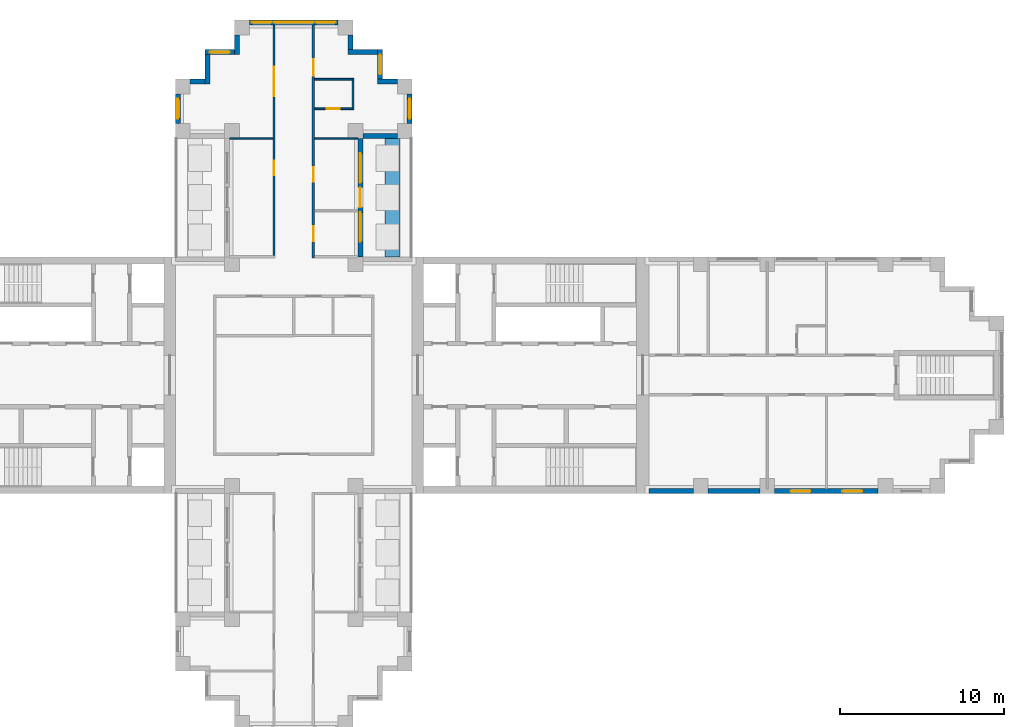
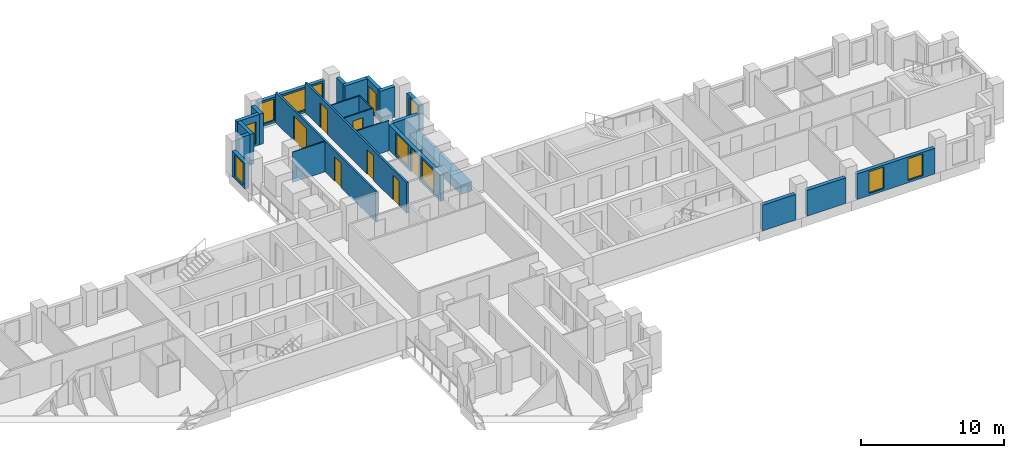
# One storey, part 7 of 11: 24 walls, 11 windows, 7 doors, 18 openings.
"""IFC4 building model written with IfcOpenShell, lengths in metres."""

from ifc_helpers import new_model, si_unit, direction, frame, frame_2d, origin, place, context, subcontext, project, spatial, rectangle, extrude, material, layer, layer_set, type_object, element, fill, save


model = new_model("IFC4")

# Units and contexts
model_context = context("Model", 3, precision=1e-05, world=origin(), true_north=direction((0.0, 1.0)))
body_context = subcontext(model_context, "Body", "Model", "MODEL_VIEW")
ifc_project = project(units=[si_unit("LENGTHUNIT", "METRE"), si_unit("AREAUNIT", "SQUARE_METRE"), si_unit("VOLUMEUNIT", "CUBIC_METRE"), si_unit("PLANEANGLEUNIT", "RADIAN"), si_unit("MASSUNIT", "GRAM", prefix="KILO")], contexts=[model_context])

# Site, building, storey
site_placement = place(None, origin())
site = spatial("IfcSite", under=ifc_project, at=site_placement, CompositionType="ELEMENT")
building_placement = place(site_placement, origin())
building = spatial("IfcBuilding", under=site, at=building_placement, Name="Fustian Cross Tower", CompositionType="ELEMENT")
storey_placement = place(building_placement, frame((0.0, 0.0, 144.300048828125)))
storey = spatial("IfcBuildingStorey", under=building, at=storey_placement, Name="L45", CompositionType="ELEMENT", Elevation=144.300048828125)

# Wall, openings, doors
ifc_material_1 = material(Name="Plasterboard on steel stud", Category="steel")
ifc_layer_1 = layer(ifc_material_1, 0.14990234375)
ifc_layer_set_1 = layer_set([ifc_layer_1], Name="Plasterboard on steel stud")
wall_type_1 = type_object("IfcWallType", Name="COMPARTMENT WALL 150 EI 60", PredefinedType="PARTITIONING", material=ifc_layer_set_1)
wall_1_placement = place(storey_placement, frame((-1.199951171875, 7.27490234375, 0.0), z_axis=(0.0, 0.0, 1.0), x_axis=(0.0, 1.0, 0.0)))
wall_1 = element("IfcWall", 1, at=wall_1_placement, inside=storey, type_object=wall_type_1, Name="Partition 21", PredefinedType="PARTITIONING", context=body_context, shape_type="SweptSolid", body=[
    extrude(rectangle(XDim=14.025146484375, YDim=0.14990234375, at=frame_2d((7.0126953125, 0.0))), origin(), (0.0, 0.0, 1.0), 2.599853515625),
])
opening_1_placement = place(wall_1_placement, frame((4.875, 0.0, 0.0)))
opening_1 = element("IfcOpeningElement", 2, at=opening_1_placement, cuts=wall_1, Name="Opening D20014", PredefinedType="OPENING", context=body_context, shape_type="SweptSolid", body=[
    extrude(rectangle(XDim=0.89990234375, YDim=2.10009765625, at=frame_2d((0.449951171875, 1.050048828125))), frame((0.0, 0.0849609375, 0.0), z_axis=(0.0, -1.0, 0.0), x_axis=(1.0, 0.0, 0.0)), (0.0, 0.0, 1.0), 0.169921875),
])
opening_2_placement = place(wall_1_placement, frame((9.675048828125, 0.0, 0.0)))
opening_2 = element("IfcOpeningElement", 3, at=opening_2_placement, cuts=wall_1, Name="Opening D20015", PredefinedType="OPENING", context=body_context, shape_type="SweptSolid", body=[
    extrude(rectangle(XDim=1.800048828125, YDim=2.10009765625, at=frame_2d((0.89990234375, 1.050048828125))), frame((0.0, 0.0849609375, 0.0), z_axis=(0.0, -1.0, 0.0), x_axis=(1.0, 0.0, 0.0)), (0.0, 0.0, 1.0), 0.169921875),
])
ifc_material_2 = material(Name="Timber fire door set", Category="wood")
door_type_1 = type_object("IfcDoorType", Name="FIRE DOUBLE DOOR 1800 FD30S", OperationType="DOUBLE_DOOR_DOUBLE_SWING", PredefinedType="DOOR", material=ifc_material_2)
door_1_placement = place(opening_2_placement, frame((1.800048828125, 0.0, 0.0), z_axis=(0.0, 0.0, 1.0), x_axis=(-1.0, 0.0, 0.0)))
door_1 = element("IfcDoor", 4, at=door_1_placement, inside=storey, type_object=door_type_1, Name="Door D20015", OperationType="DOUBLE_DOOR_DOUBLE_SWING", OverallHeight=2.10009765625, OverallWidth=1.800048828125, PredefinedType="DOOR", context=body_context, shape_type="SweptSolid", body=[
    extrude(rectangle(XDim=1.800048828125, YDim=2.10009765625, at=frame_2d((0.89990234375, 1.050048828125))), frame((0.0, 0.02490234375, 0.0), z_axis=(0.0, -1.0, 0.0), x_axis=(1.0, 0.0, 0.0)), (0.0, 0.0, 1.0), 0.050048828125),
])
fill(opening_2, door_1)
ifc_material_3 = material(Name="Timber fire door set", Category="wood")
door_type_2 = type_object("IfcDoorType", Name="FIRE SWING DOOR 900 FD30S", OperationType="SINGLE_SWING_LEFT", PredefinedType="DOOR", material=ifc_material_3)
door_2_placement = place(opening_1_placement, origin())
door_2 = element("IfcDoor", 5, at=door_2_placement, inside=storey, type_object=door_type_2, Name="Door D20014", OperationType="SINGLE_SWING_RIGHT", OverallHeight=2.10009765625, OverallWidth=0.89990234375, PredefinedType="DOOR", context=body_context, shape_type="SweptSolid", body=[
    extrude(rectangle(XDim=0.89990234375, YDim=2.10009765625, at=frame_2d((0.449951171875, 1.050048828125))), frame((0.0, 0.02490234375, 0.0), z_axis=(0.0, -1.0, 0.0), x_axis=(1.0, 0.0, 0.0)), (0.0, 0.0, 1.0), 0.050048828125),
])
fill(opening_1, door_2)

wall_2_placement = place(storey_placement, frame((1.199951171875, 7.125, 0.0), z_axis=(0.0, 0.0, 1.0), x_axis=(0.0, 1.0, 0.0)))
wall_2 = element("IfcWall", 6, at=wall_2_placement, inside=storey, type_object=wall_type_1, Name="Partition 27", PredefinedType="PARTITIONING", context=body_context, shape_type="SweptSolid", body=[
    extrude(rectangle(XDim=14.175048828125, YDim=0.14990234375, at=frame_2d((7.08740234375, 0.0))), origin(), (0.0, 0.0, 1.0), 2.599853515625),
])
opening_3_placement = place(wall_2_placement, frame((1.02490234375, 0.0, 0.0)))
opening_3 = element("IfcOpeningElement", 7, at=opening_3_placement, cuts=wall_2, Name="Opening D20016", PredefinedType="OPENING", context=body_context, shape_type="SweptSolid", body=[
    extrude(rectangle(XDim=0.89990234375, YDim=2.10009765625, at=frame_2d((0.449951171875, 1.050048828125))), frame((0.0, 0.0849609375, 0.0), z_axis=(0.0, -1.0, 0.0), x_axis=(1.0, 0.0, 0.0)), (0.0, 0.0, 1.0), 0.169921875),
])
opening_4_placement = place(wall_2_placement, frame((4.625, 0.0, 0.0)))
opening_4 = element("IfcOpeningElement", 8, at=opening_4_placement, cuts=wall_2, Name="Opening D20017", PredefinedType="OPENING", context=body_context, shape_type="SweptSolid", body=[
    extrude(rectangle(XDim=0.89990234375, YDim=2.10009765625, at=frame_2d((0.449951171875, 1.050048828125))), frame((0.0, 0.0849609375, 0.0), z_axis=(0.0, -1.0, 0.0), x_axis=(1.0, 0.0, 0.0)), (0.0, 0.0, 1.0), 0.169921875),
])
opening_5_placement = place(wall_2_placement, frame((11.074951171875, 0.0, 0.0)))
opening_5 = element("IfcOpeningElement", 9, at=opening_5_placement, cuts=wall_2, Name="Opening D20019", PredefinedType="OPENING", context=body_context, shape_type="SweptSolid", body=[
    extrude(rectangle(XDim=1.0, YDim=2.10009765625, at=frame_2d((0.5, 1.050048828125))), frame((0.0, 0.0849609375, 0.0), z_axis=(0.0, -1.0, 0.0), x_axis=(1.0, 0.0, 0.0)), (0.0, 0.0, 1.0), 0.169921875),
])
ifc_material_4 = material(Name="Timber fire door set", Category="wood")
door_type_3 = type_object("IfcDoorType", Name="FIRE SWING DOOR 1000 FD30S", OperationType="SINGLE_SWING_LEFT", PredefinedType="DOOR", material=ifc_material_4)
door_3_placement = place(opening_5_placement, frame((1.0, 0.0, 0.0), z_axis=(0.0, 0.0, 1.0), x_axis=(-1.0, 0.0, 0.0)))
door_3 = element("IfcDoor", 10, at=door_3_placement, inside=storey, type_object=door_type_3, Name="Door D20019", OperationType="SINGLE_SWING_RIGHT", OverallHeight=2.10009765625, OverallWidth=1.0, PredefinedType="DOOR", context=body_context, shape_type="SweptSolid", body=[
    extrude(rectangle(XDim=1.0, YDim=2.10009765625, at=frame_2d((0.5, 1.050048828125))), frame((0.0, 0.02490234375, 0.0), z_axis=(0.0, -1.0, 0.0), x_axis=(1.0, 0.0, 0.0)), (0.0, 0.0, 1.0), 0.050048828125),
])
fill(opening_5, door_3)
door_4_placement = place(opening_3_placement, frame((0.89990234375, 0.0, 0.0), z_axis=(0.0, 0.0, 1.0), x_axis=(-1.0, 0.0, 0.0)))
door_4 = element("IfcDoor", 11, at=door_4_placement, inside=storey, type_object=door_type_2, Name="Door D20016", OperationType="SINGLE_SWING_RIGHT", OverallHeight=2.10009765625, OverallWidth=0.89990234375, PredefinedType="DOOR", context=body_context, shape_type="SweptSolid", body=[
    extrude(rectangle(XDim=0.89990234375, YDim=2.10009765625, at=frame_2d((0.449951171875, 1.050048828125))), frame((0.0, 0.02490234375, 0.0), z_axis=(0.0, -1.0, 0.0), x_axis=(1.0, 0.0, 0.0)), (0.0, 0.0, 1.0), 0.050048828125),
])
fill(opening_3, door_4)
door_5_placement = place(opening_4_placement, frame((0.89990234375, 0.0, 0.0), z_axis=(0.0, 0.0, 1.0), x_axis=(-1.0, 0.0, 0.0)))
door_5 = element("IfcDoor", 12, at=door_5_placement, inside=storey, type_object=door_type_2, Name="Door D20017", OperationType="SINGLE_SWING_RIGHT", OverallHeight=2.10009765625, OverallWidth=0.89990234375, PredefinedType="DOOR", context=body_context, shape_type="SweptSolid", body=[
    extrude(rectangle(XDim=0.89990234375, YDim=2.10009765625, at=frame_2d((0.449951171875, 1.050048828125))), frame((0.0, 0.02490234375, 0.0), z_axis=(0.0, -1.0, 0.0), x_axis=(1.0, 0.0, 0.0)), (0.0, 0.0, 1.0), 0.050048828125),
])
fill(opening_4, door_5)

# Walls
ifc_material_5 = material(Name="Plasterboard on steel stud", Category="steel")
ifc_layer_2 = layer(ifc_material_5, 0.10009765625)
ifc_layer_set_2 = layer_set([ifc_layer_2], Name="Plasterboard on steel stud")
wall_type_2 = type_object("IfcWallType", Name="PARTITION 100 STUD", PredefinedType="PARTITIONING", material=ifc_layer_set_2)
for number, where, z_axis, x_axis, name in (
    (13, (-3.89990234375, 14.39990234375, 0.0), (0.0, 0.0, 1.0), (1.0, 0.0, 0.0), "Partition 19"),
    (14, (1.27490234375, 14.39990234375, 0.0), (0.0, 0.0, 1.0), (1.0, 0.0, 0.0), "Partition 30"),
):
    element("IfcWall", number, at=place(storey_placement, frame(where, z_axis=z_axis, x_axis=x_axis)), inside=storey, type_object=wall_type_2, Name=name, PredefinedType="PARTITIONING", context=body_context, shape_type="SweptSolid", body=[
        extrude(rectangle(XDim=2.625, YDim=0.10009765625, at=frame_2d((1.3125, 0.0))), origin(), (0.0, 0.0, 1.0), 2.599853515625),
    ])

# Wall, opening, door
wall_3_placement = place(storey_placement, frame((1.27490234375, 16.199951171875, 0.0), z_axis=(0.0, 0.0, 1.0), x_axis=(1.0, 0.0, 0.0)))
wall_3 = element("IfcWall", 15, at=wall_3_placement, inside=storey, type_object=wall_type_2, Name="Partition 31", PredefinedType="PARTITIONING", context=body_context, shape_type="SweptSolid", body=[
    extrude(rectangle(XDim=2.375, YDim=0.10009765625, at=frame_2d((1.1875, 0.0))), origin(), (0.0, 0.0, 1.0), 2.599853515625),
])
opening_6_placement = place(wall_3_placement, frame((0.72509765625, 0.0, 0.0)))
opening_6 = element("IfcOpeningElement", 16, at=opening_6_placement, cuts=wall_3, Name="Opening D20018", PredefinedType="OPENING", context=body_context, shape_type="SweptSolid", body=[
    extrude(rectangle(XDim=0.800048828125, YDim=2.10009765625, at=frame_2d((0.39990234375, 1.050048828125))), frame((0.0, 0.06005859375, 0.0), z_axis=(0.0, -1.0, 0.0), x_axis=(1.0, 0.0, 0.0)), (0.0, 0.0, 1.0), 0.1201171875),
])
ifc_material_6 = material(Name="Painted timber", Category="wood")
door_type_4 = type_object("IfcDoorType", Name="SWING DOOR 800", OperationType="SINGLE_SWING_LEFT", PredefinedType="DOOR", material=ifc_material_6)
door_6_placement = place(opening_6_placement, origin())
door_6 = element("IfcDoor", 17, at=door_6_placement, inside=storey, type_object=door_type_4, Name="Door D20018", OperationType="SINGLE_SWING_LEFT", OverallHeight=2.10009765625, OverallWidth=0.800048828125, PredefinedType="DOOR", context=body_context, shape_type="SweptSolid", body=[
    extrude(rectangle(XDim=0.800048828125, YDim=2.10009765625, at=frame_2d((0.39990234375, 1.050048828125))), frame((0.0, 0.02490234375, 0.0), z_axis=(0.0, -1.0, 0.0), x_axis=(1.0, 0.0, 0.0)), (0.0, 0.0, 1.0), 0.050048828125),
])
fill(opening_6, door_6)

# Walls
wall_4_placement = place(storey_placement, frame((1.27490234375, 18.0, 0.0), z_axis=(0.0, 0.0, 1.0), x_axis=(1.0, 0.0, 0.0)))
element("IfcWall", 18, at=wall_4_placement, inside=storey, type_object=wall_type_2, Name="Partition 32", PredefinedType="PARTITIONING", context=body_context, shape_type="SweptSolid", body=[
    extrude(rectangle(XDim=2.375, YDim=0.10009765625, at=frame_2d((1.1875, 0.0))), origin(), (0.0, 0.0, 1.0), 2.599853515625),
])
wall_5_placement = place(storey_placement, frame((3.60009765625, 16.25, 0.0), z_axis=(0.0, 0.0, 1.0), x_axis=(0.0, 1.0, 0.0)))
element("IfcWall", 19, at=wall_5_placement, inside=storey, type_object=wall_type_2, Name="Partition 34", PredefinedType="PARTITIONING", context=body_context, shape_type="SweptSolid", body=[
    extrude(rectangle(XDim=1.699951171875, YDim=0.10009765625, at=frame_2d((0.85009765625, 0.0))), origin(), (0.0, 0.0, 1.0), 2.599853515625),
])
ifc_material_7 = material(Name="Concrete C40/50", Category="concrete")
ifc_layer_3 = layer(ifc_material_7, 0.89990234375)
ifc_layer_set_3 = layer_set([ifc_layer_3], Name="Concrete C40/50")
wall_type_3 = type_object("IfcWallType", Name="PK1 PLANTER 900", PredefinedType="PARAPET", material=ifc_layer_set_3)
wall_6_placement = place(storey_placement, frame((6.0, 7.199951171875, 0.0), z_axis=(0.0, 0.0, 1.0), x_axis=(0.0, 1.0, 0.0)))
element("IfcWall", 20, at=wall_6_placement, inside=storey, type_object=wall_type_3, Name="PLANTER", PredefinedType="PARAPET", context=body_context, shape_type="SweptSolid", body=[
    extrude(rectangle(XDim=7.199951171875, YDim=0.89990234375, at=frame_2d((3.60009765625, 0.0))), origin(), (0.0, 0.0, 1.0), 0.800048828125),
])
ifc_material_8 = material(Name="Dark aluminium cladding on insulated backing wall", Category="aluminium")
ifc_layer_4 = layer(ifc_material_8, 0.300048828125)
ifc_layer_set_4 = layer_set([ifc_layer_4], Name="Dark aluminium cladding on insulated backing wall")
wall_type_4 = type_object("IfcWallType", Name="XW1 EXTERNAL WALL 300", PredefinedType="SOLIDWALL", material=ifc_layer_set_4)
wall_7_placement = place(storey_placement, frame((21.60009765625, -7.050048828125, 0.0), z_axis=(0.0, 0.0, 1.0), x_axis=(1.0, 0.0, 0.0)))
element("IfcWall", 21, at=wall_7_placement, inside=storey, type_object=wall_type_4, Name="External wall", PredefinedType="SOLIDWALL", context=body_context, shape_type="SweptSolid", body=[
    extrude(rectangle(XDim=2.699951171875, YDim=0.300048828125, at=frame_2d((1.35009765625, 0.0))), origin(), (0.0, 0.0, 1.0), 2.199951171875),
])
wall_8_placement = place(storey_placement, frame((25.199951171875, -7.050048828125, 0.0), z_axis=(0.0, 0.0, 1.0), x_axis=(1.0, 0.0, 0.0)))
element("IfcWall", 22, at=wall_8_placement, inside=storey, type_object=wall_type_4, Name="External wall", PredefinedType="SOLIDWALL", context=body_context, shape_type="SweptSolid", body=[
    extrude(rectangle(XDim=3.150146484375, YDim=0.300048828125, at=frame_2d((1.5751953125, 0.0))), origin(), (0.0, 0.0, 1.0), 2.199951171875),
])

# Wall, openings, windows
wall_9_placement = place(storey_placement, frame((29.25, -7.050048828125, 0.0), z_axis=(0.0, 0.0, 1.0), x_axis=(1.0, 0.0, 0.0)))
wall_9 = element("IfcWall", 23, at=wall_9_placement, inside=storey, type_object=wall_type_4, Name="External wall", PredefinedType="SOLIDWALL", context=body_context, shape_type="SweptSolid", body=[
    extrude(rectangle(XDim=6.300048828125, YDim=0.300048828125, at=frame_2d((3.14990234375, 0.0))), origin(), (0.0, 0.0, 1.0), 2.199951171875),
])
opening_7_placement = place(wall_9_placement, frame((0.97509765625, 0.0, 0.199951171875)))
opening_7 = element("IfcOpeningElement", 24, at=opening_7_placement, cuts=wall_9, Name="Opening WN3", PredefinedType="OPENING", context=body_context, shape_type="SweptSolid", body=[
    extrude(rectangle(XDim=1.199951171875, YDim=1.85009765625, at=frame_2d((0.60009765625, 0.925048828125))), frame((0.0, 0.159912109375, 0.0), z_axis=(0.0, -1.0, 0.0), x_axis=(1.0, 0.0, 0.0)), (0.0, 0.0, 1.0), 0.320068359375),
])
opening_8_placement = place(wall_9_placement, frame((4.125, 0.0, 0.199951171875)))
opening_8 = element("IfcOpeningElement", 25, at=opening_8_placement, cuts=wall_9, Name="Opening WN3", PredefinedType="OPENING", context=body_context, shape_type="SweptSolid", body=[
    extrude(rectangle(XDim=1.199951171875, YDim=1.85009765625, at=frame_2d((0.60009765625, 0.925048828125))), frame((0.0, 0.159912109375, 0.0), z_axis=(0.0, -1.0, 0.0), x_axis=(1.0, 0.0, 0.0)), (0.0, 0.0, 1.0), 0.320068359375),
])
ifc_material_9 = material(Name="Dark anodised aluminium and double glazing", Category="aluminium")
window_type_1 = type_object("IfcWindowType", Name="WN3 WINDOW 1200X1850", PartitioningType="SINGLE_PANEL", PredefinedType="WINDOW", material=ifc_material_9)
window_1_placement = place(opening_7_placement, origin())
window_1 = element("IfcWindow", 26, at=window_1_placement, inside=storey, type_object=window_type_1, Name="Window", OverallHeight=1.85009765625, OverallWidth=1.199951171875, PartitioningType="SINGLE_PANEL", PredefinedType="WINDOW", context=body_context, shape_type="SweptSolid", body=[
    extrude(rectangle(XDim=1.199951171875, YDim=1.85009765625, at=frame_2d((0.60009765625, 0.925048828125))), frame((0.0, 0.030029296875, 0.0), z_axis=(0.0, -1.0, 0.0), x_axis=(1.0, 0.0, 0.0)), (0.0, 0.0, 1.0), 0.06005859375),
])
fill(opening_7, window_1)
window_2_placement = place(opening_8_placement, origin())
window_2 = element("IfcWindow", 27, at=window_2_placement, inside=storey, type_object=window_type_1, Name="Window", OverallHeight=1.85009765625, OverallWidth=1.199951171875, PartitioningType="SINGLE_PANEL", PredefinedType="WINDOW", context=body_context, shape_type="SweptSolid", body=[
    extrude(rectangle(XDim=1.199951171875, YDim=1.85009765625, at=frame_2d((0.60009765625, 0.925048828125))), frame((0.0, 0.030029296875, 0.0), z_axis=(0.0, -1.0, 0.0), x_axis=(1.0, 0.0, 0.0)), (0.0, 0.0, 1.0), 0.06005859375),
])
fill(opening_8, window_2)

# Wall, openings, door, windows
wall_10_placement = place(storey_placement, frame((4.050048828125, 7.199951171875, 0.0), z_axis=(0.0, 0.0, 1.0), x_axis=(0.0, 1.0, 0.0)))
wall_10 = element("IfcWall", 28, at=wall_10_placement, inside=storey, type_object=wall_type_4, Name="External wall", PredefinedType="SOLIDWALL", context=body_context, shape_type="SweptSolid", body=[
    extrude(rectangle(XDim=7.199951171875, YDim=0.300048828125, at=frame_2d((3.60009765625, 0.0))), origin(), (0.0, 0.0, 1.0), 2.199951171875),
])
opening_9_placement = place(wall_10_placement, frame((3.0, 0.0, 0.0)))
opening_9 = element("IfcOpeningElement", 29, at=opening_9_placement, cuts=wall_10, Name="Opening XD1", PredefinedType="OPENING", context=body_context, shape_type="SweptSolid", body=[
    extrude(rectangle(XDim=1.199951171875, YDim=2.050048828125, at=frame_2d((0.60009765625, 1.02490234375))), frame((0.0, 0.159912109375, 0.0), z_axis=(0.0, -1.0, 0.0), x_axis=(1.0, 0.0, 0.0)), (0.0, 0.0, 1.0), 0.320068359375),
])
opening_10_placement = place(wall_10_placement, frame((0.89990234375, 0.0, 0.199951171875)))
opening_10 = element("IfcOpeningElement", 30, at=opening_10_placement, cuts=wall_10, Name="Opening WN2", PredefinedType="OPENING", context=body_context, shape_type="SweptSolid", body=[
    extrude(rectangle(XDim=1.800048828125, YDim=1.85009765625, at=frame_2d((0.89990234375, 0.925048828125))), frame((0.0, 0.159912109375, 0.0), z_axis=(0.0, -1.0, 0.0), x_axis=(1.0, 0.0, 0.0)), (0.0, 0.0, 1.0), 0.320068359375),
])
opening_11_placement = place(wall_10_placement, frame((4.5, 0.0, 0.199951171875)))
opening_11 = element("IfcOpeningElement", 31, at=opening_11_placement, cuts=wall_10, Name="Opening WN2", PredefinedType="OPENING", context=body_context, shape_type="SweptSolid", body=[
    extrude(rectangle(XDim=1.800048828125, YDim=1.85009765625, at=frame_2d((0.89990234375, 0.925048828125))), frame((0.0, 0.159912109375, 0.0), z_axis=(0.0, -1.0, 0.0), x_axis=(1.0, 0.0, 0.0)), (0.0, 0.0, 1.0), 0.320068359375),
])
ifc_material_10 = material(Name="Dark anodised aluminium and double glazing", Category="aluminium")
door_type_5 = type_object("IfcDoorType", Name="ED1 BALCONY DOOR 1200X2050", OperationType="SINGLE_SWING_LEFT", PredefinedType="DOOR", material=ifc_material_10)
door_7_placement = place(opening_9_placement, origin())
door_7 = element("IfcDoor", 32, at=door_7_placement, inside=storey, type_object=door_type_5, Name="Balcony door", OperationType="SINGLE_SWING_LEFT", OverallHeight=2.050048828125, OverallWidth=1.199951171875, PredefinedType="DOOR", context=body_context, shape_type="SweptSolid", body=[
    extrude(rectangle(XDim=1.199951171875, YDim=2.050048828125, at=frame_2d((0.60009765625, 1.02490234375))), frame((0.0, 0.02490234375, 0.0), z_axis=(0.0, -1.0, 0.0), x_axis=(1.0, 0.0, 0.0)), (0.0, 0.0, 1.0), 0.050048828125),
])
fill(opening_9, door_7)
ifc_material_11 = material(Name="Dark anodised aluminium and double glazing", Category="aluminium")
window_type_2 = type_object("IfcWindowType", Name="WN2 WINDOW 1800X1850", PartitioningType="SINGLE_PANEL", PredefinedType="WINDOW", material=ifc_material_11)
window_3_placement = place(opening_10_placement, origin())
window_3 = element("IfcWindow", 33, at=window_3_placement, inside=storey, type_object=window_type_2, Name="Window", OverallHeight=1.85009765625, OverallWidth=1.800048828125, PartitioningType="SINGLE_PANEL", PredefinedType="WINDOW", context=body_context, shape_type="SweptSolid", body=[
    extrude(rectangle(XDim=1.800048828125, YDim=1.85009765625, at=frame_2d((0.89990234375, 0.925048828125))), frame((0.0, 0.030029296875, 0.0), z_axis=(0.0, -1.0, 0.0), x_axis=(1.0, 0.0, 0.0)), (0.0, 0.0, 1.0), 0.06005859375),
])
fill(opening_10, window_3)
window_4_placement = place(opening_11_placement, origin())
window_4 = element("IfcWindow", 34, at=window_4_placement, inside=storey, type_object=window_type_2, Name="Window", OverallHeight=1.85009765625, OverallWidth=1.800048828125, PartitioningType="SINGLE_PANEL", PredefinedType="WINDOW", context=body_context, shape_type="SweptSolid", body=[
    extrude(rectangle(XDim=1.800048828125, YDim=1.85009765625, at=frame_2d((0.89990234375, 0.925048828125))), frame((0.0, 0.030029296875, 0.0), z_axis=(0.0, -1.0, 0.0), x_axis=(1.0, 0.0, 0.0)), (0.0, 0.0, 1.0), 0.06005859375),
])
fill(opening_11, window_4)

# Wall
wall_11_placement = place(storey_placement, frame((4.199951171875, 14.550048828125, 0.0), z_axis=(0.0, 0.0, 1.0), x_axis=(1.0, 0.0, 0.0)))
element("IfcWall", 35, at=wall_11_placement, inside=storey, type_object=wall_type_4, Name="External wall", PredefinedType="SOLIDWALL", context=body_context, shape_type="SweptSolid", body=[
    extrude(rectangle(XDim=2.10009765625, YDim=0.300048828125, at=frame_2d((1.050048828125, 0.0))), origin(), (0.0, 0.0, 1.0), 2.199951171875),
])

# Wall, opening, window
wall_12_placement = place(storey_placement, frame((7.050048828125, 15.300048828125, 0.0), z_axis=(0.0, 0.0, 1.0), x_axis=(0.0, 1.0, 0.0)))
wall_12 = element("IfcWall", 36, at=wall_12_placement, inside=storey, type_object=wall_type_4, Name="External wall", PredefinedType="SOLIDWALL", context=body_context, shape_type="SweptSolid", body=[
    extrude(rectangle(XDim=1.800048828125, YDim=0.300048828125, at=frame_2d((0.89990234375, 0.0))), origin(), (0.0, 0.0, 1.0), 2.199951171875),
])
opening_12_placement = place(wall_12_placement, frame((0.300048828125, 0.0, 0.199951171875)))
opening_12 = element("IfcOpeningElement", 37, at=opening_12_placement, cuts=wall_12, Name="Opening WN3", PredefinedType="OPENING", context=body_context, shape_type="SweptSolid", body=[
    extrude(rectangle(XDim=1.199951171875, YDim=1.85009765625, at=frame_2d((0.60009765625, 0.925048828125))), frame((0.0, 0.159912109375, 0.0), z_axis=(0.0, -1.0, 0.0), x_axis=(1.0, 0.0, 0.0)), (0.0, 0.0, 1.0), 0.320068359375),
])
window_5_placement = place(opening_12_placement, origin())
window_5 = element("IfcWindow", 38, at=window_5_placement, inside=storey, type_object=window_type_1, Name="Window", OverallHeight=1.85009765625, OverallWidth=1.199951171875, PartitioningType="SINGLE_PANEL", PredefinedType="WINDOW", context=body_context, shape_type="SweptSolid", body=[
    extrude(rectangle(XDim=1.199951171875, YDim=1.85009765625, at=frame_2d((0.60009765625, 0.925048828125))), frame((0.0, 0.030029296875, 0.0), z_axis=(0.0, -1.0, 0.0), x_axis=(1.0, 0.0, 0.0)), (0.0, 0.0, 1.0), 0.06005859375),
])
fill(opening_12, window_5)

# Wall
wall_13_placement = place(storey_placement, frame((6.300048828125, 17.85009765625, 0.0), z_axis=(0.0, 0.0, 1.0), x_axis=(-1.0, 0.0, 0.0)))
element("IfcWall", 39, at=wall_13_placement, inside=storey, type_object=wall_type_4, Name="External wall", PredefinedType="SOLIDWALL", context=body_context, shape_type="SweptSolid", body=[
    extrude(rectangle(XDim=1.199951171875, YDim=0.300048828125, at=frame_2d((0.60009765625, 0.0))), origin(), (0.0, 0.0, 1.0), 2.599853515625),
])

# Wall, opening, window
wall_14_placement = place(storey_placement, frame((5.25, 18.0, 0.0), z_axis=(0.0, 0.0, 1.0), x_axis=(0.0, 1.0, 0.0)))
wall_14 = element("IfcWall", 40, at=wall_14_placement, inside=storey, type_object=wall_type_4, Name="External wall", PredefinedType="SOLIDWALL", context=body_context, shape_type="SweptSolid", body=[
    extrude(rectangle(XDim=1.800048828125, YDim=0.300048828125, at=frame_2d((0.89990234375, 0.0))), origin(), (0.0, 0.0, 1.0), 2.599853515625),
])
opening_13_placement = place(wall_14_placement, frame((0.300048828125, 0.0, 0.199951171875)))
opening_13 = element("IfcOpeningElement", 41, at=opening_13_placement, cuts=wall_14, Name="Opening WN3", PredefinedType="OPENING", context=body_context, shape_type="SweptSolid", body=[
    extrude(rectangle(XDim=1.199951171875, YDim=1.85009765625, at=frame_2d((0.60009765625, 0.925048828125))), frame((0.0, 0.159912109375, 0.0), z_axis=(0.0, -1.0, 0.0), x_axis=(1.0, 0.0, 0.0)), (0.0, 0.0, 1.0), 0.320068359375),
])
window_6_placement = place(opening_13_placement, origin())
window_6 = element("IfcWindow", 42, at=window_6_placement, inside=storey, type_object=window_type_1, Name="Window", OverallHeight=1.85009765625, OverallWidth=1.199951171875, PartitioningType="SINGLE_PANEL", PredefinedType="WINDOW", context=body_context, shape_type="SweptSolid", body=[
    extrude(rectangle(XDim=1.199951171875, YDim=1.85009765625, at=frame_2d((0.60009765625, 0.925048828125))), frame((0.0, 0.030029296875, 0.0), z_axis=(0.0, -1.0, 0.0), x_axis=(1.0, 0.0, 0.0)), (0.0, 0.0, 1.0), 0.06005859375),
])
fill(opening_13, window_6)

# Walls
wall_15_placement = place(storey_placement, frame((5.10009765625, 19.64990234375, 0.0), z_axis=(0.0, 0.0, 1.0), x_axis=(-1.0, 0.0, 0.0)))
element("IfcWall", 43, at=wall_15_placement, inside=storey, type_object=wall_type_4, Name="External wall", PredefinedType="SOLIDWALL", context=body_context, shape_type="SweptSolid", body=[
    extrude(rectangle(XDim=1.800048828125, YDim=0.300048828125, at=frame_2d((0.89990234375, 0.0))), origin(), (0.0, 0.0, 1.0), 2.599853515625),
])
wall_16_placement = place(storey_placement, frame((3.449951171875, 19.800048828125, 0.0), z_axis=(0.0, 0.0, 1.0), x_axis=(0.0, 1.0, 0.0)))
element("IfcWall", 44, at=wall_16_placement, inside=storey, type_object=wall_type_4, Name="External wall", PredefinedType="SOLIDWALL", context=body_context, shape_type="SweptSolid", body=[
    extrude(rectangle(XDim=0.89990234375, YDim=0.300048828125, at=frame_2d((0.449951171875, 0.0))), origin(), (0.0, 0.0, 1.0), 2.599853515625),
])

# Wall, openings, windows
wall_17_placement = place(storey_placement, frame((2.699951171875, 21.449951171875, 0.0), z_axis=(0.0, 0.0, 1.0), x_axis=(-1.0, 0.0, 0.0)))
wall_17 = element("IfcWall", 45, at=wall_17_placement, inside=storey, type_object=wall_type_4, Name="External wall", PredefinedType="SOLIDWALL", context=body_context, shape_type="SweptSolid", body=[
    extrude(rectangle(XDim=5.39990234375, YDim=0.300048828125, at=frame_2d((2.699951171875, 0.0))), origin(), (0.0, 0.0, 1.0), 2.199951171875),
])
opening_14_placement = place(wall_17_placement, frame((1.5, 0.0, 0.199951171875)))
opening_14 = element("IfcOpeningElement", 46, at=opening_14_placement, cuts=wall_17, Name="Opening WN1", PredefinedType="OPENING", context=body_context, shape_type="SweptSolid", body=[
    extrude(rectangle(XDim=2.39990234375, YDim=1.85009765625, at=frame_2d((1.199951171875, 0.925048828125))), frame((0.0, 0.159912109375, 0.0), z_axis=(0.0, -1.0, 0.0), x_axis=(1.0, 0.0, 0.0)), (0.0, 0.0, 1.0), 0.320068359375),
])
opening_15_placement = place(wall_17_placement, frame((0.14990234375, 0.0, 0.199951171875)))
opening_15 = element("IfcOpeningElement", 47, at=opening_15_placement, cuts=wall_17, Name="Opening WN3", PredefinedType="OPENING", context=body_context, shape_type="SweptSolid", body=[
    extrude(rectangle(XDim=1.199951171875, YDim=1.85009765625, at=frame_2d((0.60009765625, 0.925048828125))), frame((0.0, 0.159912109375, 0.0), z_axis=(0.0, -1.0, 0.0), x_axis=(1.0, 0.0, 0.0)), (0.0, 0.0, 1.0), 0.320068359375),
])
opening_16_placement = place(wall_17_placement, frame((4.050048828125, 0.0, 0.199951171875)))
opening_16 = element("IfcOpeningElement", 48, at=opening_16_placement, cuts=wall_17, Name="Opening WN3", PredefinedType="OPENING", context=body_context, shape_type="SweptSolid", body=[
    extrude(rectangle(XDim=1.199951171875, YDim=1.85009765625, at=frame_2d((0.60009765625, 0.925048828125))), frame((0.0, 0.159912109375, 0.0), z_axis=(0.0, -1.0, 0.0), x_axis=(1.0, 0.0, 0.0)), (0.0, 0.0, 1.0), 0.320068359375),
])
ifc_material_12 = material(Name="Dark anodised aluminium and double glazing", Category="aluminium")
window_type_3 = type_object("IfcWindowType", Name="WN1 WINDOW 2400X1850", PartitioningType="SINGLE_PANEL", PredefinedType="WINDOW", material=ifc_material_12)
window_7_placement = place(opening_14_placement, origin())
window_7 = element("IfcWindow", 49, at=window_7_placement, inside=storey, type_object=window_type_3, Name="Window", OverallHeight=1.85009765625, OverallWidth=2.39990234375, PartitioningType="SINGLE_PANEL", PredefinedType="WINDOW", context=body_context, shape_type="SweptSolid", body=[
    extrude(rectangle(XDim=2.39990234375, YDim=1.85009765625, at=frame_2d((1.199951171875, 0.925048828125))), frame((0.0, 0.030029296875, 0.0), z_axis=(0.0, -1.0, 0.0), x_axis=(1.0, 0.0, 0.0)), (0.0, 0.0, 1.0), 0.06005859375),
])
fill(opening_14, window_7)
window_8_placement = place(opening_15_placement, origin())
window_8 = element("IfcWindow", 50, at=window_8_placement, inside=storey, type_object=window_type_1, Name="Window", OverallHeight=1.85009765625, OverallWidth=1.199951171875, PartitioningType="SINGLE_PANEL", PredefinedType="WINDOW", context=body_context, shape_type="SweptSolid", body=[
    extrude(rectangle(XDim=1.199951171875, YDim=1.85009765625, at=frame_2d((0.60009765625, 0.925048828125))), frame((0.0, 0.030029296875, 0.0), z_axis=(0.0, -1.0, 0.0), x_axis=(1.0, 0.0, 0.0)), (0.0, 0.0, 1.0), 0.06005859375),
])
fill(opening_15, window_8)
window_9_placement = place(opening_16_placement, origin())
window_9 = element("IfcWindow", 51, at=window_9_placement, inside=storey, type_object=window_type_1, Name="Window", OverallHeight=1.85009765625, OverallWidth=1.199951171875, PartitioningType="SINGLE_PANEL", PredefinedType="WINDOW", context=body_context, shape_type="SweptSolid", body=[
    extrude(rectangle(XDim=1.199951171875, YDim=1.85009765625, at=frame_2d((0.60009765625, 0.925048828125))), frame((0.0, 0.030029296875, 0.0), z_axis=(0.0, -1.0, 0.0), x_axis=(1.0, 0.0, 0.0)), (0.0, 0.0, 1.0), 0.06005859375),
])
fill(opening_16, window_9)

# Wall
wall_18_placement = place(storey_placement, frame((-3.449951171875, 20.699951171875, 0.0), z_axis=(0.0, 0.0, 1.0), x_axis=(0.0, -1.0, 0.0)))
element("IfcWall", 52, at=wall_18_placement, inside=storey, type_object=wall_type_4, Name="External wall", PredefinedType="SOLIDWALL", context=body_context, shape_type="SweptSolid", body=[
    extrude(rectangle(XDim=1.199951171875, YDim=0.300048828125, at=frame_2d((0.60009765625, 0.0))), origin(), (0.0, 0.0, 1.0), 2.599853515625),
])

# Wall, opening, window
wall_19_placement = place(storey_placement, frame((-3.60009765625, 19.64990234375, 0.0), z_axis=(0.0, 0.0, 1.0), x_axis=(-1.0, 0.0, 0.0)))
wall_19 = element("IfcWall", 53, at=wall_19_placement, inside=storey, type_object=wall_type_4, Name="External wall", PredefinedType="SOLIDWALL", context=body_context, shape_type="SweptSolid", body=[
    extrude(rectangle(XDim=1.7998046875, YDim=0.300048828125, at=frame_2d((0.89990234375, 0.0))), origin(), (0.0, 0.0, 1.0), 2.599853515625),
])
opening_17_placement = place(wall_19_placement, frame((0.300048828125, 0.0, 0.199951171875)))
opening_17 = element("IfcOpeningElement", 54, at=opening_17_placement, cuts=wall_19, Name="Opening WN3", PredefinedType="OPENING", context=body_context, shape_type="SweptSolid", body=[
    extrude(rectangle(XDim=1.199951171875, YDim=1.85009765625, at=frame_2d((0.60009765625, 0.925048828125))), frame((0.0, 0.159912109375, 0.0), z_axis=(0.0, -1.0, 0.0), x_axis=(1.0, 0.0, 0.0)), (0.0, 0.0, 1.0), 0.320068359375),
])
window_10_placement = place(opening_17_placement, origin())
window_10 = element("IfcWindow", 55, at=window_10_placement, inside=storey, type_object=window_type_1, Name="Window", OverallHeight=1.85009765625, OverallWidth=1.199951171875, PartitioningType="SINGLE_PANEL", PredefinedType="WINDOW", context=body_context, shape_type="SweptSolid", body=[
    extrude(rectangle(XDim=1.199951171875, YDim=1.85009765625, at=frame_2d((0.60009765625, 0.925048828125))), frame((0.0, 0.030029296875, 0.0), z_axis=(0.0, -1.0, 0.0), x_axis=(1.0, 0.0, 0.0)), (0.0, 0.0, 1.0), 0.06005859375),
])
fill(opening_17, window_10)

# Walls
wall_20_placement = place(storey_placement, frame((-5.25, 19.5, 0.0), z_axis=(0.0, 0.0, 1.0), x_axis=(0.0, -1.0, 0.0)))
element("IfcWall", 56, at=wall_20_placement, inside=storey, type_object=wall_type_4, Name="External wall", PredefinedType="SOLIDWALL", context=body_context, shape_type="SweptSolid", body=[
    extrude(rectangle(XDim=1.800048828125, YDim=0.300048828125, at=frame_2d((0.89990234375, 0.0))), origin(), (0.0, 0.0, 1.0), 2.599853515625),
])
wall_21_placement = place(storey_placement, frame((-5.39990234375, 17.85009765625, 0.0), z_axis=(0.0, 0.0, 1.0), x_axis=(-1.0, 0.0, 0.0)))
element("IfcWall", 57, at=wall_21_placement, inside=storey, type_object=wall_type_4, Name="External wall", PredefinedType="SOLIDWALL", context=body_context, shape_type="SweptSolid", body=[
    extrude(rectangle(XDim=0.900146484375, YDim=0.300048828125, at=frame_2d((0.4501953125, 0.0))), origin(), (0.0, 0.0, 1.0), 2.599853515625),
])

# Wall, opening, window
wall_22_placement = place(storey_placement, frame((-7.050048828125, 17.10009765625, 0.0), z_axis=(0.0, 0.0, 1.0), x_axis=(0.0, -1.0, 0.0)))
wall_22 = element("IfcWall", 58, at=wall_22_placement, inside=storey, type_object=wall_type_4, Name="External wall", PredefinedType="SOLIDWALL", context=body_context, shape_type="SweptSolid", body=[
    extrude(rectangle(XDim=1.800048828125, YDim=0.300048828125, at=frame_2d((0.89990234375, 0.0))), origin(), (0.0, 0.0, 1.0), 2.199951171875),
])
opening_18_placement = place(wall_22_placement, frame((0.300048828125, 0.0, 0.199951171875)))
opening_18 = element("IfcOpeningElement", 59, at=opening_18_placement, cuts=wall_22, Name="Opening WN3", PredefinedType="OPENING", context=body_context, shape_type="SweptSolid", body=[
    extrude(rectangle(XDim=1.199951171875, YDim=1.85009765625, at=frame_2d((0.60009765625, 0.925048828125))), frame((0.0, 0.159912109375, 0.0), z_axis=(0.0, -1.0, 0.0), x_axis=(1.0, 0.0, 0.0)), (0.0, 0.0, 1.0), 0.320068359375),
])
window_11_placement = place(opening_18_placement, origin())
window_11 = element("IfcWindow", 60, at=window_11_placement, inside=storey, type_object=window_type_1, Name="Window", OverallHeight=1.85009765625, OverallWidth=1.199951171875, PartitioningType="SINGLE_PANEL", PredefinedType="WINDOW", context=body_context, shape_type="SweptSolid", body=[
    extrude(rectangle(XDim=1.199951171875, YDim=1.85009765625, at=frame_2d((0.60009765625, 0.925048828125))), frame((0.0, 0.030029296875, 0.0), z_axis=(0.0, -1.0, 0.0), x_axis=(1.0, 0.0, 0.0)), (0.0, 0.0, 1.0), 0.06005859375),
])
fill(opening_18, window_11)

save(model, "model.ifc")
